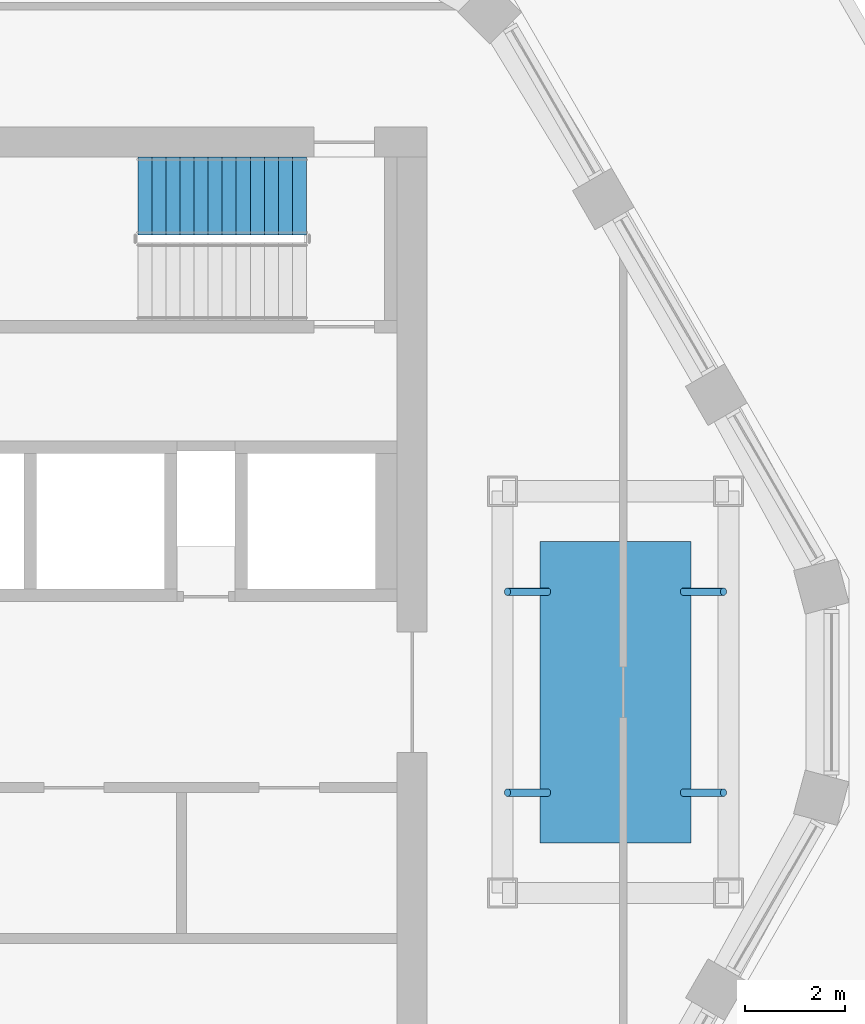
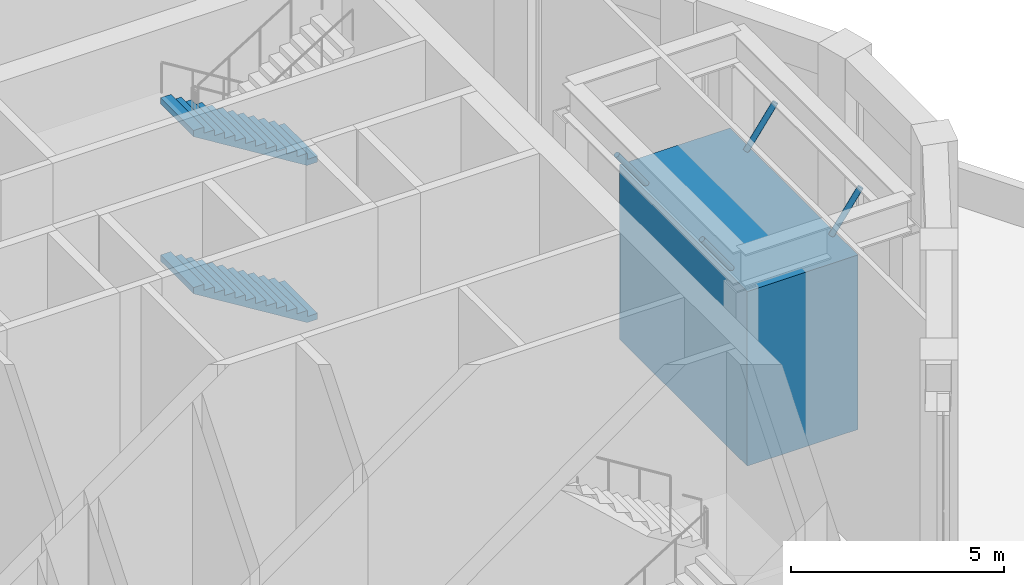
# One storey, part 9 of 11: 5 discrete accessories, 2 stair flights, 1 element without a shape of its own.
"""IFC4 building model written with IfcOpenShell, lengths in metres."""

from ifc_helpers import new_model, si_unit, direction, frame, origin, origin_2d, place, context, subcontext, project, spatial, polyline, rectangle, circle, outline, extrude, material, material_profile, profile_set, type_object, element, aggregate, save


model = new_model("IFC4")

# Units and contexts
model_context = context("Model", 3, precision=1e-05, world=origin(), true_north=direction((0.0, 1.0)))
body_context = subcontext(model_context, "Body", "Model", "MODEL_VIEW")
ifc_project = project(units=[si_unit("LENGTHUNIT", "METRE"), si_unit("AREAUNIT", "SQUARE_METRE"), si_unit("VOLUMEUNIT", "CUBIC_METRE"), si_unit("PLANEANGLEUNIT", "RADIAN"), si_unit("MASSUNIT", "GRAM", prefix="KILO")], contexts=[model_context])

# Site, building, storey
site_placement = place(None, origin())
site = spatial("IfcSite", under=ifc_project, at=site_placement, CompositionType="ELEMENT")
building_placement = place(site_placement, origin())
building = spatial("IfcBuilding", under=site, at=building_placement, Name="Dhurran Vertical Campus", CompositionType="ELEMENT")
storey_placement = place(building_placement, frame((0.0, 0.0, 309.89990234375)))
storey = spatial("IfcBuildingStorey", under=building, at=storey_placement, Name="L77 Damper Plant", CompositionType="ELEMENT", Elevation=309.89990234375)

# Stair, stair flights
ifc_material_1 = material(Name="Concrete C40/50", Category="concrete")
stair_type = type_object("IfcStairType", Name="co-ST-CORE", PredefinedType="HALF_TURN_STAIR", material=ifc_material_1)
stair_placement = place(storey_placement, origin())
stair = element("IfcStair", 1, at=stair_placement, inside=storey, type_object=stair_type, Name="L77 Damper Plant Protected exit stair ST2", PredefinedType="HALF_TURN_STAIR")
ifc_material_2 = material(Name="Concrete C40/50", Category="concrete")
stair_flight_type = type_object("IfcStairFlightType", Name="co-SFL-RC", PredefinedType="STRAIGHT", material=ifc_material_2)
stair_flight_1_placement = place(storey_placement, frame((11.10009765625, 9.875, 0.0), z_axis=(0.0, 0.0, 1.0), x_axis=(-1.0, 0.0, 0.0)))
stair_flight_1 = element("IfcStairFlight", 2, at=stair_flight_1_placement, type_object=stair_flight_type, Name="ST2 flight 1", NumberOfRisers=13, NumberOfTreads=12, PredefinedType="STRAIGHT", RiserHeight=0.173076923, TreadLength=0.28, context=body_context, shape_type="SweptSolid", body=[
    extrude(outline(polyline([(0.0, 0.0), (0.0, 0.173095703125), (0.280029296875, 0.173095703125), (0.280029296875, 0.34619140625), (0.56005859375, 0.34619140625), (0.56005859375, 0.519287109375), (0.840087890625, 0.519287109375), (0.840087890625, 0.6923828125), (1.1201171875, 0.6923828125), (1.1201171875, 0.865478515625), (1.39990234375, 0.865478515625), (1.39990234375, 1.03857421875), (1.679931640625, 1.03857421875), (1.679931640625, 1.21142578125), (1.9599609375, 1.21142578125), (1.9599609375, 1.384521484375), (2.239990234375, 1.384521484375), (2.239990234375, 1.5576171875), (2.52001953125, 1.5576171875), (2.52001953125, 1.730712890625), (2.800048828125, 1.730712890625), (2.800048828125, 1.90380859375), (3.080078125, 1.90380859375), (3.080078125, 2.076904296875), (3.360107421875, 2.076904296875), (3.360107421875, 2.25), (3.360107421875, 1.900634765625), (0.28515625, 0.0), (0.0, 0.0)])), frame((0.0, 0.77490234375, 0.0), z_axis=(0.0, -1.0, 0.0), x_axis=(1.0, 0.0, 0.0)), (0.0, 0.0, 1.0), 1.550048828125),
])
stair_flight_2_placement = place(storey_placement, frame((11.10009765625, 9.875, 4.5), z_axis=(0.0, 0.0, 1.0), x_axis=(-1.0, 0.0, 0.0)))
stair_flight_2 = element("IfcStairFlight", 3, at=stair_flight_2_placement, type_object=stair_flight_type, Name="ST2 flight 3", NumberOfRisers=13, NumberOfTreads=12, PredefinedType="STRAIGHT", RiserHeight=0.173076923, TreadLength=0.28, context=body_context, shape_type="SweptSolid", body=[
    extrude(outline(polyline([(0.0, 0.0), (0.0, 0.173095703125), (0.280029296875, 0.173095703125), (0.280029296875, 0.34619140625), (0.56005859375, 0.34619140625), (0.56005859375, 0.519287109375), (0.840087890625, 0.519287109375), (0.840087890625, 0.6923828125), (1.1201171875, 0.6923828125), (1.1201171875, 0.865478515625), (1.39990234375, 0.865478515625), (1.39990234375, 1.03857421875), (1.679931640625, 1.03857421875), (1.679931640625, 1.21142578125), (1.9599609375, 1.21142578125), (1.9599609375, 1.384521484375), (2.239990234375, 1.384521484375), (2.239990234375, 1.5576171875), (2.52001953125, 1.5576171875), (2.52001953125, 1.730712890625), (2.800048828125, 1.730712890625), (2.800048828125, 1.90380859375), (3.080078125, 1.90380859375), (3.080078125, 2.076904296875), (3.360107421875, 2.076904296875), (3.360107421875, 2.25), (3.360107421875, 1.900634765625), (0.28515625, 0.0), (0.0, 0.0)])), frame((0.0, 0.77490234375, 0.0), z_axis=(0.0, -1.0, 0.0), x_axis=(1.0, 0.0, 0.0)), (0.0, 0.0, 1.0), 1.550048828125),
])
aggregate(stair, [stair_flight_1, stair_flight_2])

# Discrete accessories
ifc_material_3 = material(Name="Steel S355J2", Category="steel")
ifc_material_profile = material_profile(ifc_material_3, circle(Radius=0.074951171875, at=origin_2d()), Name="Damper suspension rod 150")
ifc_profile_set = profile_set([ifc_material_profile], Name="Steel S355J2")
discrete_accessory_type_1 = type_object("IfcDiscreteAccessoryType", Name="Damper suspension rod 150", PredefinedType="USERDEFINED", material=ifc_profile_set)
for number, where, z_axis, x_axis, name in (
    (4, (15.89990234375, -2.0, 6.5), (-0.582111900319, 0.0, 0.813108686159), (0.0, -1.0, 0.0), "TMD2 suspension rod 1"),
    (5, (15.89990234375, 2.0, 6.5), (-0.582111900319, 0.0, 0.813108686159), (0.0, -1.0, 0.0), "TMD2 suspension rod 2"),
    (6, (18.60009765625, -2.0, 6.5), (0.582111900319, 0.0, 0.813108686159), (0.0, 1.0, 0.0), "TMD2 suspension rod 3"),
    (7, (18.60009765625, 2.0, 6.5), (0.582111900319, 0.0, 0.813108686159), (0.0, 1.0, 0.0), "TMD2 suspension rod 4"),
):
    element("IfcDiscreteAccessory", number, at=place(storey_placement, frame(where, z_axis=z_axis, x_axis=x_axis)), inside=storey, type_object=discrete_accessory_type_1, Name=name, ObjectType="DAMPER SUSPENSION ROD", PredefinedType="USERDEFINED", context=body_context, shape_type="SweptSolid", body=[
        extrude(circle(Radius=0.074951171875, at=origin_2d()), origin(), (0.0, 0.0, 1.0), 1.3740234375),
    ])
ifc_material_4 = material(Name="Steel S355J2", Category="steel")
discrete_accessory_type_2 = type_object("IfcDiscreteAccessoryType", Name="Tuned mass damper block", PredefinedType="USERDEFINED", material=ifc_material_4)
discrete_accessory_placement = place(storey_placement, frame((17.25, 0.0, 1.5), z_axis=(0.0, 0.0, 1.0), x_axis=(1.0, 0.0, 0.0)))
element("IfcDiscreteAccessory", 8, at=discrete_accessory_placement, inside=storey, type_object=discrete_accessory_type_2, Name="TMD1 tuned mass damper", ObjectType="TUNED MASS DAMPER", PredefinedType="USERDEFINED", context=body_context, shape_type="SweptSolid", body=[
    extrude(rectangle(XDim=3.0, YDim=6.0, at=origin_2d()), origin(), (0.0, 0.0, 1.0), 5.0),
])

save(model, "model.ifc")
